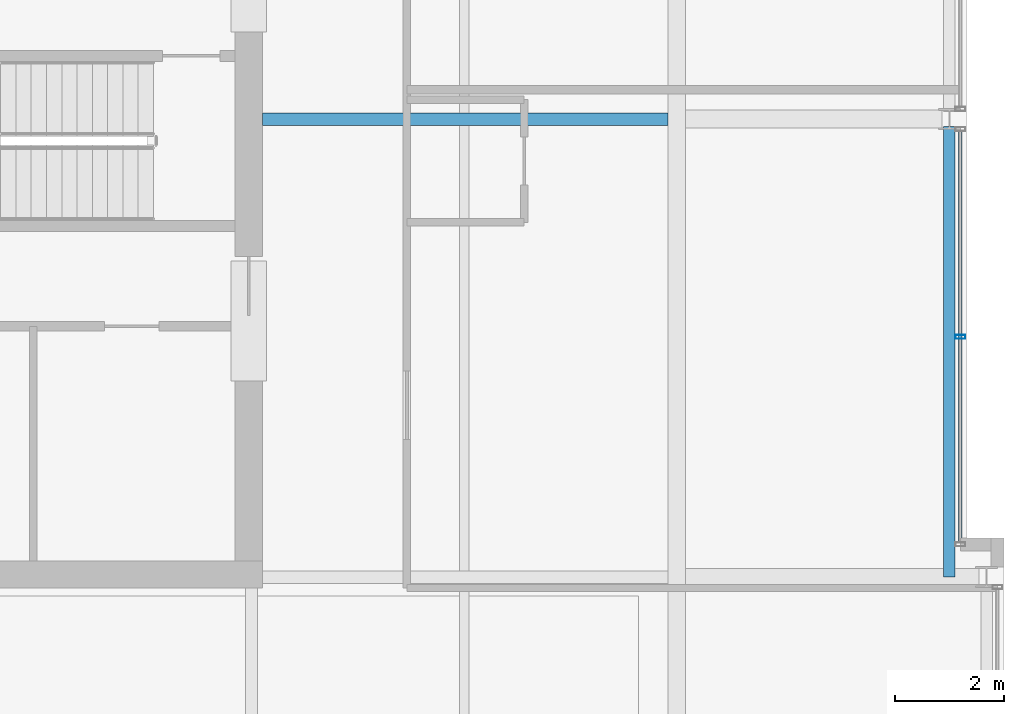
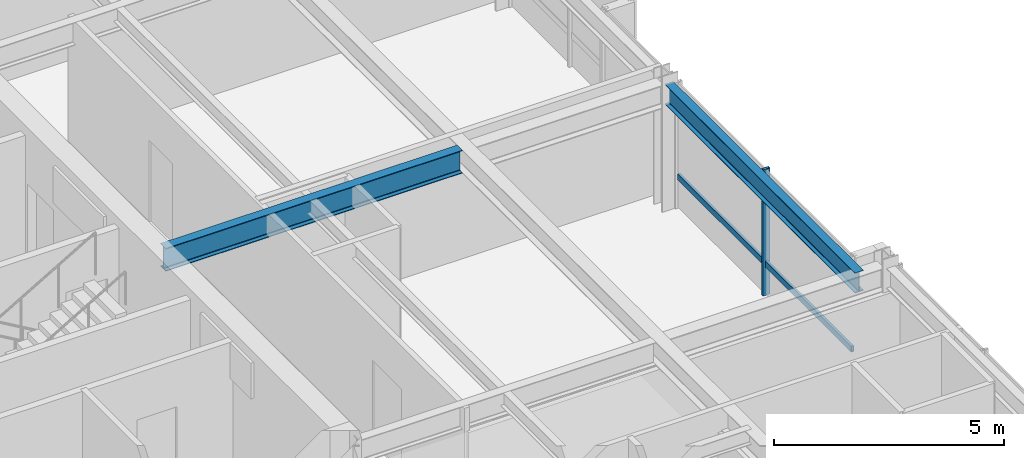
# One storey, part 14 of 30: 2 beams, 2 members, 1 element without a shape of its own.
"""IFC4 building model written with IfcOpenShell, lengths in metres."""

from ifc_helpers import new_model, si_unit, direction, frame, origin, origin_2d, place, context, subcontext, project, spatial, hollow_rectangle, i_section, extrude, material, layer, layer_set, material_profile, profile_set, type_object, element, aggregate, save


model = new_model("IFC4")

# Units and contexts
model_context = context("Model", 3, precision=1e-05, world=origin(), true_north=direction((0.0, 1.0)))
body_context = subcontext(model_context, "Body", "Model", "MODEL_VIEW")
ifc_project = project(units=[si_unit("LENGTHUNIT", "METRE"), si_unit("AREAUNIT", "SQUARE_METRE"), si_unit("VOLUMEUNIT", "CUBIC_METRE"), si_unit("PLANEANGLEUNIT", "RADIAN"), si_unit("MASSUNIT", "GRAM", prefix="KILO")], contexts=[model_context])

# Site, building, storey
site_placement = place(None, origin())
site = spatial("IfcSite", under=ifc_project, at=site_placement, CompositionType="ELEMENT")
building_placement = place(site_placement, origin())
building = spatial("IfcBuilding", under=site, at=building_placement, Name="Drelvath Grand Hotel", CompositionType="ELEMENT")
storey_placement = place(building_placement, frame((0.0, 0.0, 215.89990234375)))
storey = spatial("IfcBuildingStorey", under=building, at=storey_placement, Name="L56", CompositionType="ELEMENT", Elevation=215.89990234375)

# Curtain wall, members
ifc_material_1 = material(Name="Platinum-Mist Anodised Aluminium Frame", Category="aluminium")
ifc_layer = layer(ifc_material_1, 0.199951171875)
ifc_layer_set = layer_set([ifc_layer], Name="Platinum-Mist Anodised Aluminium Frame")
curtain_wall_type = type_object("IfcCurtainWallType", Name="Stick Curtain Wall CW-05 Platinum Mist High-Rise", PredefinedType="NOTDEFINED", material=ifc_layer_set)
curtain_wall_placement = place(storey_placement, origin())
curtain_wall = element("IfcCurtainWall", 1, at=curtain_wall_placement, inside=storey, type_object=curtain_wall_type, Name="L56 CW-05 Curtain Wall CW05-L56-EM1", PredefinedType="NOTDEFINED")
ifc_material_profile_1 = material_profile(ifc_material_1, hollow_rectangle(XDim=0.06494140625, YDim=0.159912109375, WallThickness=0.00390625, at=origin_2d()), Name="HSS160X65X4")
ifc_profile_set_1 = profile_set([ifc_material_profile_1], Name="Platinum-Mist Anodised Aluminium Frame")
member_type_1 = type_object("IfcMemberType", Name="Curtain Wall Horizontal Transom CW-05 HSS160X65X4", PredefinedType="USERDEFINED", material=ifc_profile_set_1)
member_1_placement = place(storey_placement, frame((21.39990234375, 26.774658203125, 0.835205078125), z_axis=(0.0, -1.0, 0.0), x_axis=(1.0, 0.0, 0.0)))
member_1 = element("IfcMember", 2, at=member_1_placement, type_object=member_type_1, Name="CW05-L56-EM1 Sill Transom", ObjectType="TRANSOM", PredefinedType="USERDEFINED", context=body_context, shape_type="SweptSolid", body=[
    extrude(hollow_rectangle(XDim=0.06494140625, YDim=0.159912109375, WallThickness=0.00390625, at=origin_2d()), origin(), (0.0, 0.0, 1.0), 7.53466796875),
])
ifc_material_profile_2 = material_profile(ifc_material_1, hollow_rectangle(XDim=0.074951171875, YDim=0.179931640625, WallThickness=0.0048828125, at=origin_2d()), Name="HSS180X75X5")
ifc_profile_set_2 = profile_set([ifc_material_profile_2], Name="Platinum-Mist Anodised Aluminium Frame")
member_type_2 = type_object("IfcMemberType", Name="Curtain Wall Vertical Mullion CW-05 HSS180X75X5", PredefinedType="MULLION", material=ifc_profile_set_2)
member_2_placement = place(storey_placement, frame((21.39990234375, 23.00732421875, 0.0), z_axis=(0.0, 0.0, 1.0), x_axis=(0.0, 1.0, 0.0)))
member_2 = element("IfcMember", 3, at=member_2_placement, type_object=member_type_2, Name="CW05-L56-EM1 Mullion 2", PredefinedType="MULLION", context=body_context, shape_type="SweptSolid", body=[
    extrude(hollow_rectangle(XDim=0.074951171875, YDim=0.179931640625, WallThickness=0.0048828125, at=origin_2d()), origin(), (0.0, 0.0, 1.0), 3.340087890625),
])
aggregate(curtain_wall, [member_2, member_1])

# Beams
ifc_material_2 = material(Name="Steel ASTM A992 Gr 50", Category="steel")
ifc_material_profile_3 = material_profile(ifc_material_2, i_section(OverallWidth=0.210205078125, OverallDepth=0.53662109375, WebThickness=0.010986328125, FlangeThickness=0.017333984375, FilletRadius=0.01806640625, at=origin_2d()), Name="W21X68")
ifc_profile_set_3 = profile_set([ifc_material_profile_3], Name="Steel ASTM A992 Gr 50")
beam_type_1 = type_object("IfcBeamType", Name="Perimeter Spandrel Beam W21X68", PredefinedType="SPANDREL", material=ifc_profile_set_3)
beam_1_placement = place(storey_placement, frame((21.199951171875, 18.60009765625, 3.07177734375), z_axis=(0.0, 1.0, 0.0), x_axis=(-1.0, 0.0, 0.0)))
element("IfcBeam", 4, at=beam_1_placement, inside=storey, type_object=beam_type_1, Name="L56 Spandrel East Mid S", PredefinedType="SPANDREL", context=body_context, shape_type="SweptSolid", body=[
    extrude(i_section(OverallWidth=0.210205078125, OverallDepth=0.53662109375, WebThickness=0.010986328125, FlangeThickness=0.017333984375, FilletRadius=0.01806640625, at=origin_2d()), origin(), (0.0, 0.0, 1.0), 8.260009765625),
])
ifc_material_profile_4 = material_profile(ifc_material_2, i_section(OverallWidth=0.228271484375, OverallDepth=0.607666015625, WebThickness=0.01123046875, FlangeThickness=0.017333984375, FilletRadius=0.02001953125, at=origin_2d()), Name="W24X76")
ifc_profile_set_4 = profile_set([ifc_material_profile_4], Name="Steel ASTM A992 Gr 50")
beam_type_2 = type_object("IfcBeamType", Name="Primary Floor Girder W24X76", PredefinedType="BEAM", material=ifc_profile_set_4)
beam_2_placement = place(storey_placement, frame((8.60009765625, 27.0, 3.036376953125), z_axis=(1.0, 0.0, 0.0), x_axis=(0.0, 1.0, 0.0)))
element("IfcBeam", 5, at=beam_2_placement, inside=storey, type_object=beam_type_2, Name="L56 East Core Tie E", PredefinedType="BEAM", context=body_context, shape_type="SweptSolid", body=[
    extrude(i_section(OverallWidth=0.228271484375, OverallDepth=0.607666015625, WebThickness=0.01123046875, FlangeThickness=0.017333984375, FilletRadius=0.02001953125, at=origin_2d()), origin(), (0.0, 0.0, 1.0), 7.43798828125),
])

save(model, "model.ifc")
